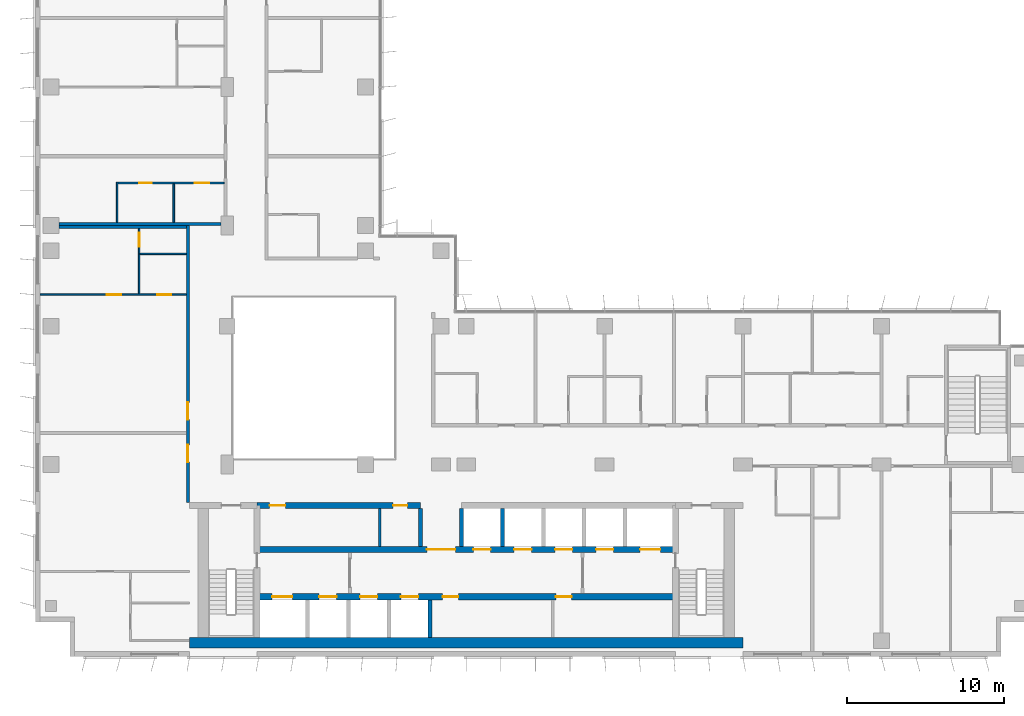
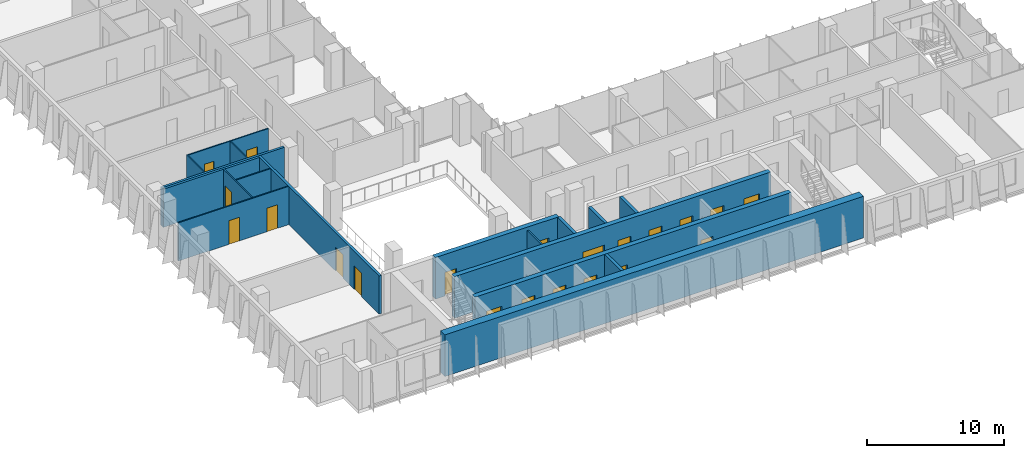
# One storey, part 13 of 21: 21 doors, 18 walls, 21 openings.
"""IFC4 building model written with IfcOpenShell, lengths in metres."""

from ifc_helpers import new_model, si_unit, direction, frame, frame_2d, origin, place, context, subcontext, project, spatial, rectangle, extrude, material, layer, layer_set, type_object, element, fill, save


model = new_model("IFC4")

# Units and contexts
model_context = context("Model", 3, precision=1e-05, world=origin(), true_north=direction((0.0, 1.0)))
body_context = subcontext(model_context, "Body", "Model", "MODEL_VIEW")
ifc_project = project(units=[si_unit("LENGTHUNIT", "METRE"), si_unit("AREAUNIT", "SQUARE_METRE"), si_unit("VOLUMEUNIT", "CUBIC_METRE"), si_unit("PLANEANGLEUNIT", "RADIAN"), si_unit("MASSUNIT", "GRAM", prefix="KILO")], contexts=[model_context])

# Site, building, storey
site_placement = place(None, origin())
site = spatial("IfcSite", under=ifc_project, at=site_placement, CompositionType="ELEMENT")
building_placement = place(site_placement, origin())
building = spatial("IfcBuilding", under=site, at=building_placement, Name="Kemantara Hotel Tower", CompositionType="ELEMENT")
storey_placement = place(building_placement, frame((0.0, 0.0, 211.699951171875)))
storey = spatial("IfcBuildingStorey", under=building, at=storey_placement, Name="L52", CompositionType="ELEMENT", Elevation=211.699951171875)

# Walls
ifc_material_1 = material(Name="Concrete fc 60 MPa", Category="concrete")
ifc_layer_1 = layer(ifc_material_1, 0.25)
ifc_layer_set_1 = layer_set([ifc_layer_1], Name="Concrete fc 60 MPa")
wall_type_1 = type_object("IfcWallType", Name="CORE WALL 250 FC60", PredefinedType="SHEAR", material=ifc_layer_set_1)
wall_1_placement = place(storey_placement, frame((25.10009765625, 1.199951171875, 0.0), z_axis=(0.0, 0.0, 1.0), x_axis=(0.0, 1.0, 0.0)))
element("IfcWall", 1, at=wall_1_placement, inside=storey, type_object=wall_type_1, Name="CORE WALL CW-DS25.1", PredefinedType="SHEAR", context=body_context, shape_type="SweptSolid", body=[
    extrude(rectangle(XDim=2.400146484375, YDim=0.25, at=frame_2d((1.2001953125, 0.0))), origin(), (0.0, 0.0, 1.0), 3.699951171875),
])
for number, where, z_axis, x_axis, name in (
    (2, (24.5, 7.0, 0.0), (0.0, 0.0, 1.0), (0.0, 1.0, 0.0), "CORE WALL CW-DN24.5"),
    (3, (27.10009765625, 7.0, 0.0), (0.0, 0.0, 1.0), (0.0, 1.0, 0.0), "CORE WALL CW-DN27.1"),
    (4, (29.699951171875, 7.0, 0.0), (0.0, 0.0, 1.0), (0.0, 1.0, 0.0), "CORE WALL CW-DN29.7"),
):
    element("IfcWall", number, at=place(storey_placement, frame(where, z_axis=z_axis, x_axis=x_axis)), inside=storey, type_object=wall_type_1, Name=name, PredefinedType="SHEAR", context=body_context, shape_type="SweptSolid", body=[
        extrude(rectangle(XDim=2.39990234375, YDim=0.25, at=frame_2d((1.199951171875, 0.0))), origin(), (0.0, 0.0, 1.0), 3.699951171875),
    ])

# Wall, openings, doors
ifc_layer_2 = layer(ifc_material_1, 0.39990234375)
ifc_layer_set_2 = layer_set([ifc_layer_2], Name="Concrete fc 60 MPa")
wall_type_2 = type_object("IfcWallType", Name="CORE WALL 400 FC60", PredefinedType="SHEAR", material=ifc_layer_set_2)
wall_2_placement = place(storey_placement, frame((14.10009765625, 9.60009765625, 0.0), z_axis=(0.0, 0.0, 1.0), x_axis=(1.0, 0.0, 0.0)))
wall_2 = element("IfcWall", 5, at=wall_2_placement, inside=storey, type_object=wall_type_2, Name="CORE WALL CW-NN1", PredefinedType="SHEAR", context=body_context, shape_type="SweptSolid", body=[
    extrude(rectangle(XDim=10.39990234375, YDim=0.39990234375, at=frame_2d((5.199951171875, 0.0))), origin(), (0.0, 0.0, 1.0), 3.699951171875),
])
opening_1_placement = place(wall_2_placement, frame((0.800048828125, 0.0, 0.0)))
opening_1 = element("IfcOpeningElement", 6, at=opening_1_placement, cuts=wall_2, Name="Opening C33-R-NW1", PredefinedType="OPENING", context=body_context, shape_type="SweptSolid", body=[
    extrude(rectangle(XDim=1.0, YDim=2.10009765625, at=frame_2d((0.5, 1.050048828125))), frame((0.0, 0.2099609375, 0.0), z_axis=(0.0, -1.0, 0.0), x_axis=(1.0, 0.0, 0.0)), (0.0, 0.0, 1.0), 0.419921875),
])
opening_2_placement = place(wall_2_placement, frame((8.64990234375, 0.0, 0.0)))
opening_2 = element("IfcOpeningElement", 7, at=opening_2_placement, cuts=wall_2, Name="Opening C33-R-NW2", PredefinedType="OPENING", context=body_context, shape_type="SweptSolid", body=[
    extrude(rectangle(XDim=0.89990234375, YDim=2.10009765625, at=frame_2d((0.449951171875, 1.050048828125))), frame((0.0, 0.2099609375, 0.0), z_axis=(0.0, -1.0, 0.0), x_axis=(1.0, 0.0, 0.0)), (0.0, 0.0, 1.0), 0.419921875),
])
ifc_material_2 = material(Name="Steel fire door", Category="steel")
door_type_1 = type_object("IfcDoorType", Name="Fire door FD30S 1000 x 2100", OperationType="NOTDEFINED", PredefinedType="DOOR", material=ifc_material_2)
door_1_placement = place(opening_1_placement, frame((1.0, 0.0, 0.0), z_axis=(0.0, 0.0, 1.0), x_axis=(-1.0, 0.0, 0.0)))
door_1 = element("IfcDoor", 8, at=door_1_placement, inside=storey, type_object=door_type_1, Name="Housekeeping Store door", OperationType="SINGLE_SWING_RIGHT", OverallHeight=2.10009765625, OverallWidth=1.0, PredefinedType="DOOR", context=body_context, shape_type="SweptSolid", body=[
    extrude(rectangle(XDim=1.0, YDim=2.10009765625, at=frame_2d((0.5, 1.050048828125))), frame((0.0, 0.02490234375, 0.0), z_axis=(0.0, -1.0, 0.0), x_axis=(1.0, 0.0, 0.0)), (0.0, 0.0, 1.0), 0.050048828125),
])
fill(opening_1, door_1)
door_type_2 = type_object("IfcDoorType", Name="Fire door FD60 900 x 2100", OperationType="NOTDEFINED", PredefinedType="DOOR", material=ifc_material_2)
door_2_placement = place(opening_2_placement, frame((0.89990234375, 0.0, 0.0), z_axis=(0.0, 0.0, 1.0), x_axis=(-1.0, 0.0, 0.0)))
door_2 = element("IfcDoor", 9, at=door_2_placement, inside=storey, type_object=door_type_2, Name="It Equipment Room door", OperationType="SINGLE_SWING_LEFT", OverallHeight=2.10009765625, OverallWidth=0.89990234375, PredefinedType="DOOR", context=body_context, shape_type="SweptSolid", body=[
    extrude(rectangle(XDim=0.89990234375, YDim=2.10009765625, at=frame_2d((0.449951171875, 1.050048828125))), frame((0.0, 0.02490234375, 0.0), z_axis=(0.0, -1.0, 0.0), x_axis=(1.0, 0.0, 0.0)), (0.0, 0.0, 1.0), 0.050048828125),
])
fill(opening_2, door_2)

wall_3_placement = place(storey_placement, frame((14.10009765625, 3.800048828125, 0.0), z_axis=(0.0, 0.0, 1.0), x_axis=(1.0, 0.0, 0.0)))
wall_3 = element("IfcWall", 10, at=wall_3_placement, inside=storey, type_object=wall_type_2, Name="CORE WALL CW-L1", PredefinedType="SHEAR", context=body_context, shape_type="SweptSolid", body=[
    extrude(rectangle(XDim=26.599853515625, YDim=0.39990234375, at=frame_2d((13.2998046875, 0.0))), origin(), (0.0, 0.0, 1.0), 3.699951171875),
])
opening_3_placement = place(wall_3_placement, frame((0.949951171875, 0.0, 0.0)))
opening_3 = element("IfcOpeningElement", 11, at=opening_3_placement, cuts=wall_3, Name="Opening C33-LD-FF1", PredefinedType="OPENING", context=body_context, shape_type="SweptSolid", body=[
    extrude(rectangle(XDim=1.300048828125, YDim=2.10009765625, at=frame_2d((0.64990234375, 1.050048828125))), frame((0.0, 0.2099609375, 0.0), z_axis=(0.0, -1.0, 0.0), x_axis=(1.0, 0.0, 0.0)), (0.0, 0.0, 1.0), 0.419921875),
])
opening_4_placement = place(wall_3_placement, frame((3.949951171875, 0.0, 0.0)))
opening_4 = element("IfcOpeningElement", 12, at=opening_4_placement, cuts=wall_3, Name="Opening C33-LD-SV1", PredefinedType="OPENING", context=body_context, shape_type="SweptSolid", body=[
    extrude(rectangle(XDim=1.10009765625, YDim=2.10009765625, at=frame_2d((0.550048828125, 1.050048828125))), frame((0.0, 0.2099609375, 0.0), z_axis=(0.0, -1.0, 0.0), x_axis=(1.0, 0.0, 0.0)), (0.0, 0.0, 1.0), 0.419921875),
])
opening_5_placement = place(wall_3_placement, frame((6.550048828125, 0.0, 0.0)))
opening_5 = element("IfcOpeningElement", 13, at=opening_5_placement, cuts=wall_3, Name="Opening C33-LD-SV2", PredefinedType="OPENING", context=body_context, shape_type="SweptSolid", body=[
    extrude(rectangle(XDim=1.10009765625, YDim=2.10009765625, at=frame_2d((0.550048828125, 1.050048828125))), frame((0.0, 0.2099609375, 0.0), z_axis=(0.0, -1.0, 0.0), x_axis=(1.0, 0.0, 0.0)), (0.0, 0.0, 1.0), 0.419921875),
])
opening_6_placement = place(wall_3_placement, frame((9.14990234375, 0.0, 0.0)))
opening_6 = element("IfcOpeningElement", 14, at=opening_6_placement, cuts=wall_3, Name="Opening C33-LD-SV3", PredefinedType="OPENING", context=body_context, shape_type="SweptSolid", body=[
    extrude(rectangle(XDim=1.10009765625, YDim=2.10009765625, at=frame_2d((0.550048828125, 1.050048828125))), frame((0.0, 0.2099609375, 0.0), z_axis=(0.0, -1.0, 0.0), x_axis=(1.0, 0.0, 0.0)), (0.0, 0.0, 1.0), 0.419921875),
])
opening_7_placement = place(wall_3_placement, frame((11.800048828125, 0.0, 0.0)))
opening_7 = element("IfcOpeningElement", 15, at=opening_7_placement, cuts=wall_3, Name="Opening C33-R-SM1", PredefinedType="OPENING", context=body_context, shape_type="SweptSolid", body=[
    extrude(rectangle(XDim=1.0, YDim=2.10009765625, at=frame_2d((0.5, 1.050048828125))), frame((0.0, 0.2099609375, 0.0), z_axis=(0.0, -1.0, 0.0), x_axis=(1.0, 0.0, 0.0)), (0.0, 0.0, 1.0), 0.419921875),
])
opening_8_placement = place(wall_3_placement, frame((19.0, 0.0, 0.0)))
opening_8 = element("IfcOpeningElement", 16, at=opening_8_placement, cuts=wall_3, Name="Opening C33-R-SM2", PredefinedType="OPENING", context=body_context, shape_type="SweptSolid", body=[
    extrude(rectangle(XDim=1.0, YDim=2.10009765625, at=frame_2d((0.5, 1.050048828125))), frame((0.0, 0.2099609375, 0.0), z_axis=(0.0, -1.0, 0.0), x_axis=(1.0, 0.0, 0.0)), (0.0, 0.0, 1.0), 0.419921875),
])
door_3_placement = place(opening_7_placement, frame((1.0, 0.0, 0.0), z_axis=(0.0, 0.0, 1.0), x_axis=(-1.0, 0.0, 0.0)))
door_3 = element("IfcDoor", 17, at=door_3_placement, inside=storey, type_object=door_type_1, Name="Luggage Store door", OperationType="SINGLE_SWING_RIGHT", OverallHeight=2.10009765625, OverallWidth=1.0, PredefinedType="DOOR", context=body_context, shape_type="SweptSolid", body=[
    extrude(rectangle(XDim=1.0, YDim=2.10009765625, at=frame_2d((0.5, 1.050048828125))), frame((0.0, 0.02490234375, 0.0), z_axis=(0.0, -1.0, 0.0), x_axis=(1.0, 0.0, 0.0)), (0.0, 0.0, 1.0), 0.050048828125),
])
fill(opening_7, door_3)
door_4_placement = place(opening_8_placement, frame((1.0, 0.0, 0.0), z_axis=(0.0, 0.0, 1.0), x_axis=(-1.0, 0.0, 0.0)))
door_4 = element("IfcDoor", 18, at=door_4_placement, inside=storey, type_object=door_type_1, Name="Guest Pantry door", OperationType="SINGLE_SWING_LEFT", OverallHeight=2.10009765625, OverallWidth=1.0, PredefinedType="DOOR", context=body_context, shape_type="SweptSolid", body=[
    extrude(rectangle(XDim=1.0, YDim=2.10009765625, at=frame_2d((0.5, 1.050048828125))), frame((0.0, 0.02490234375, 0.0), z_axis=(0.0, -1.0, 0.0), x_axis=(1.0, 0.0, 0.0)), (0.0, 0.0, 1.0), 0.050048828125),
])
fill(opening_8, door_4)
ifc_material_3 = material(Name="Stainless steel lift door", Category="steel")
door_type_3 = type_object("IfcDoorType", Name="Lift landing door 1100 x 2100 FD60", OperationType="DOUBLE_DOOR_SLIDING", PredefinedType="DOOR", material=ifc_material_3)
door_5_placement = place(opening_4_placement, origin())
door_5 = element("IfcDoor", 19, at=door_5_placement, inside=storey, type_object=door_type_3, Name="Lift SV1 landing door", OperationType="DOUBLE_DOOR_SLIDING", OverallHeight=2.10009765625, OverallWidth=1.10009765625, PredefinedType="DOOR", context=body_context, shape_type="SweptSolid", body=[
    extrude(rectangle(XDim=1.10009765625, YDim=2.10009765625, at=frame_2d((0.550048828125, 1.050048828125))), frame((0.0, 0.02490234375, 0.0), z_axis=(0.0, -1.0, 0.0), x_axis=(1.0, 0.0, 0.0)), (0.0, 0.0, 1.0), 0.050048828125),
])
fill(opening_4, door_5)
door_6_placement = place(opening_5_placement, origin())
door_6 = element("IfcDoor", 20, at=door_6_placement, inside=storey, type_object=door_type_3, Name="Lift SV2 landing door", OperationType="DOUBLE_DOOR_SLIDING", OverallHeight=2.10009765625, OverallWidth=1.10009765625, PredefinedType="DOOR", context=body_context, shape_type="SweptSolid", body=[
    extrude(rectangle(XDim=1.10009765625, YDim=2.10009765625, at=frame_2d((0.550048828125, 1.050048828125))), frame((0.0, 0.02490234375, 0.0), z_axis=(0.0, -1.0, 0.0), x_axis=(1.0, 0.0, 0.0)), (0.0, 0.0, 1.0), 0.050048828125),
])
fill(opening_5, door_6)
door_7_placement = place(opening_6_placement, origin())
door_7 = element("IfcDoor", 21, at=door_7_placement, inside=storey, type_object=door_type_3, Name="Lift SV3 landing door", OperationType="DOUBLE_DOOR_SLIDING", OverallHeight=2.10009765625, OverallWidth=1.10009765625, PredefinedType="DOOR", context=body_context, shape_type="SweptSolid", body=[
    extrude(rectangle(XDim=1.10009765625, YDim=2.10009765625, at=frame_2d((0.550048828125, 1.050048828125))), frame((0.0, 0.02490234375, 0.0), z_axis=(0.0, -1.0, 0.0), x_axis=(1.0, 0.0, 0.0)), (0.0, 0.0, 1.0), 0.050048828125),
])
fill(opening_6, door_7)
door_type_4 = type_object("IfcDoorType", Name="Lift landing door 1300 x 2100 FD90", OperationType="DOUBLE_DOOR_SLIDING", PredefinedType="DOOR", material=ifc_material_3)
door_8_placement = place(opening_3_placement, origin())
door_8 = element("IfcDoor", 22, at=door_8_placement, inside=storey, type_object=door_type_4, Name="Lift FF1 landing door", OperationType="DOUBLE_DOOR_SLIDING", OverallHeight=2.10009765625, OverallWidth=1.300048828125, PredefinedType="DOOR", context=body_context, shape_type="SweptSolid", body=[
    extrude(rectangle(XDim=1.300048828125, YDim=2.10009765625, at=frame_2d((0.64990234375, 1.050048828125))), frame((0.0, 0.02490234375, 0.0), z_axis=(0.0, -1.0, 0.0), x_axis=(1.0, 0.0, 0.0)), (0.0, 0.0, 1.0), 0.050048828125),
])
fill(opening_3, door_8)

wall_4_placement = place(storey_placement, frame((14.10009765625, 6.800048828125, 0.0), z_axis=(0.0, 0.0, 1.0), x_axis=(1.0, 0.0, 0.0)))
wall_4 = element("IfcWall", 23, at=wall_4_placement, inside=storey, type_object=wall_type_2, Name="CORE WALL CW-L2", PredefinedType="SHEAR", context=body_context, shape_type="SweptSolid", body=[
    extrude(rectangle(XDim=26.599853515625, YDim=0.39990234375, at=frame_2d((13.2998046875, 0.0))), origin(), (0.0, 0.0, 1.0), 3.699951171875),
])
opening_9_placement = place(wall_4_placement, frame((10.800048828125, 0.0, 0.0)))
opening_9 = element("IfcOpeningElement", 24, at=opening_9_placement, cuts=wall_4, Name="Opening C33-VL", PredefinedType="OPENING", context=body_context, shape_type="SweptSolid", body=[
    extrude(rectangle(XDim=1.800048828125, YDim=2.10009765625, at=frame_2d((0.89990234375, 1.050048828125))), frame((0.0, 0.2099609375, 0.0), z_axis=(0.0, -1.0, 0.0), x_axis=(1.0, 0.0, 0.0)), (0.0, 0.0, 1.0), 0.419921875),
])
opening_10_placement = place(wall_4_placement, frame((13.75, 0.0, 0.0)))
opening_10 = element("IfcOpeningElement", 25, at=opening_10_placement, cuts=wall_4, Name="Opening C33-LD-HR1", PredefinedType="OPENING", context=body_context, shape_type="SweptSolid", body=[
    extrude(rectangle(XDim=1.10009765625, YDim=2.10009765625, at=frame_2d((0.550048828125, 1.050048828125))), frame((0.0, 0.2099609375, 0.0), z_axis=(0.0, -1.0, 0.0), x_axis=(1.0, 0.0, 0.0)), (0.0, 0.0, 1.0), 0.419921875),
])
opening_11_placement = place(wall_4_placement, frame((16.35009765625, 0.0, 0.0)))
opening_11 = element("IfcOpeningElement", 26, at=opening_11_placement, cuts=wall_4, Name="Opening C33-LD-HR2", PredefinedType="OPENING", context=body_context, shape_type="SweptSolid", body=[
    extrude(rectangle(XDim=1.10009765625, YDim=2.10009765625, at=frame_2d((0.550048828125, 1.050048828125))), frame((0.0, 0.2099609375, 0.0), z_axis=(0.0, -1.0, 0.0), x_axis=(1.0, 0.0, 0.0)), (0.0, 0.0, 1.0), 0.419921875),
])
opening_12_placement = place(wall_4_placement, frame((18.949951171875, 0.0, 0.0)))
opening_12 = element("IfcOpeningElement", 27, at=opening_12_placement, cuts=wall_4, Name="Opening C33-LD-HR3", PredefinedType="OPENING", context=body_context, shape_type="SweptSolid", body=[
    extrude(rectangle(XDim=1.10009765625, YDim=2.10009765625, at=frame_2d((0.550048828125, 1.050048828125))), frame((0.0, 0.2099609375, 0.0), z_axis=(0.0, -1.0, 0.0), x_axis=(1.0, 0.0, 0.0)), (0.0, 0.0, 1.0), 0.419921875),
])
opening_13_placement = place(wall_4_placement, frame((21.550048828125, 0.0, 0.0)))
opening_13 = element("IfcOpeningElement", 28, at=opening_13_placement, cuts=wall_4, Name="Opening C33-LD-HR4", PredefinedType="OPENING", context=body_context, shape_type="SweptSolid", body=[
    extrude(rectangle(XDim=1.10009765625, YDim=2.10009765625, at=frame_2d((0.550048828125, 1.050048828125))), frame((0.0, 0.2099609375, 0.0), z_axis=(0.0, -1.0, 0.0), x_axis=(1.0, 0.0, 0.0)), (0.0, 0.0, 1.0), 0.419921875),
])
opening_14_placement = place(wall_4_placement, frame((24.35009765625, 0.0, 0.0)))
opening_14 = element("IfcOpeningElement", 29, at=opening_14_placement, cuts=wall_4, Name="Opening C33-LD-FF2", PredefinedType="OPENING", context=body_context, shape_type="SweptSolid", body=[
    extrude(rectangle(XDim=1.300048828125, YDim=2.10009765625, at=frame_2d((0.64990234375, 1.050048828125))), frame((0.0, 0.2099609375, 0.0), z_axis=(0.0, -1.0, 0.0), x_axis=(1.0, 0.0, 0.0)), (0.0, 0.0, 1.0), 0.419921875),
])
door_type_5 = type_object("IfcDoorType", Name="Fire door pair FD60 1800 x 2100", OperationType="DOUBLE_DOOR_SINGLE_SWING", PredefinedType="DOOR", material=ifc_material_2)
door_9_placement = place(opening_9_placement, frame((1.800048828125, 0.0, 0.0), z_axis=(0.0, 0.0, 1.0), x_axis=(-1.0, 0.0, 0.0)))
door_9 = element("IfcDoor", 30, at=door_9_placement, inside=storey, type_object=door_type_5, Name="Lift lobby entry door", OperationType="DOUBLE_DOOR_SINGLE_SWING", OverallHeight=2.10009765625, OverallWidth=1.800048828125, PredefinedType="DOOR", context=body_context, shape_type="SweptSolid", body=[
    extrude(rectangle(XDim=1.800048828125, YDim=2.10009765625, at=frame_2d((0.89990234375, 1.050048828125))), frame((0.0, 0.02490234375, 0.0), z_axis=(0.0, -1.0, 0.0), x_axis=(1.0, 0.0, 0.0)), (0.0, 0.0, 1.0), 0.050048828125),
])
fill(opening_9, door_9)
door_10_placement = place(opening_10_placement, origin())
door_10 = element("IfcDoor", 31, at=door_10_placement, inside=storey, type_object=door_type_3, Name="Lift HR1 landing door", OperationType="DOUBLE_DOOR_SLIDING", OverallHeight=2.10009765625, OverallWidth=1.10009765625, PredefinedType="DOOR", context=body_context, shape_type="SweptSolid", body=[
    extrude(rectangle(XDim=1.10009765625, YDim=2.10009765625, at=frame_2d((0.550048828125, 1.050048828125))), frame((0.0, 0.02490234375, 0.0), z_axis=(0.0, -1.0, 0.0), x_axis=(1.0, 0.0, 0.0)), (0.0, 0.0, 1.0), 0.050048828125),
])
fill(opening_10, door_10)
door_11_placement = place(opening_11_placement, origin())
door_11 = element("IfcDoor", 32, at=door_11_placement, inside=storey, type_object=door_type_3, Name="Lift HR2 landing door", OperationType="DOUBLE_DOOR_SLIDING", OverallHeight=2.10009765625, OverallWidth=1.10009765625, PredefinedType="DOOR", context=body_context, shape_type="SweptSolid", body=[
    extrude(rectangle(XDim=1.10009765625, YDim=2.10009765625, at=frame_2d((0.550048828125, 1.050048828125))), frame((0.0, 0.02490234375, 0.0), z_axis=(0.0, -1.0, 0.0), x_axis=(1.0, 0.0, 0.0)), (0.0, 0.0, 1.0), 0.050048828125),
])
fill(opening_11, door_11)
door_12_placement = place(opening_12_placement, origin())
door_12 = element("IfcDoor", 33, at=door_12_placement, inside=storey, type_object=door_type_3, Name="Lift HR3 landing door", OperationType="DOUBLE_DOOR_SLIDING", OverallHeight=2.10009765625, OverallWidth=1.10009765625, PredefinedType="DOOR", context=body_context, shape_type="SweptSolid", body=[
    extrude(rectangle(XDim=1.10009765625, YDim=2.10009765625, at=frame_2d((0.550048828125, 1.050048828125))), frame((0.0, 0.02490234375, 0.0), z_axis=(0.0, -1.0, 0.0), x_axis=(1.0, 0.0, 0.0)), (0.0, 0.0, 1.0), 0.050048828125),
])
fill(opening_12, door_12)
door_13_placement = place(opening_13_placement, origin())
door_13 = element("IfcDoor", 34, at=door_13_placement, inside=storey, type_object=door_type_3, Name="Lift HR4 landing door", OperationType="DOUBLE_DOOR_SLIDING", OverallHeight=2.10009765625, OverallWidth=1.10009765625, PredefinedType="DOOR", context=body_context, shape_type="SweptSolid", body=[
    extrude(rectangle(XDim=1.10009765625, YDim=2.10009765625, at=frame_2d((0.550048828125, 1.050048828125))), frame((0.0, 0.02490234375, 0.0), z_axis=(0.0, -1.0, 0.0), x_axis=(1.0, 0.0, 0.0)), (0.0, 0.0, 1.0), 0.050048828125),
])
fill(opening_13, door_13)
door_14_placement = place(opening_14_placement, origin())
door_14 = element("IfcDoor", 35, at=door_14_placement, inside=storey, type_object=door_type_4, Name="Lift FF2 landing door", OperationType="DOUBLE_DOOR_SLIDING", OverallHeight=2.10009765625, OverallWidth=1.300048828125, PredefinedType="DOOR", context=body_context, shape_type="SweptSolid", body=[
    extrude(rectangle(XDim=1.300048828125, YDim=2.10009765625, at=frame_2d((0.64990234375, 1.050048828125))), frame((0.0, 0.02490234375, 0.0), z_axis=(0.0, -1.0, 0.0), x_axis=(1.0, 0.0, 0.0)), (0.0, 0.0, 1.0), 0.050048828125),
])
fill(opening_14, door_14)

# Wall
ifc_layer_3 = layer(ifc_material_1, 0.64990234375)
ifc_layer_set_3 = layer_set([ifc_layer_3], Name="Concrete fc 60 MPa")
wall_type_3 = type_object("IfcWallType", Name="CORE WALL 650 FC60", PredefinedType="SHEAR", material=ifc_layer_set_3)
wall_5_placement = place(storey_placement, frame((9.800048828125, 0.875, 0.0), z_axis=(0.0, 0.0, 1.0), x_axis=(1.0, 0.0, 0.0)))
element("IfcWall", 36, at=wall_5_placement, inside=storey, type_object=wall_type_3, Name="CORE WALL CW-S", PredefinedType="SHEAR", context=body_context, shape_type="SweptSolid", body=[
    extrude(rectangle(XDim=35.199951171875, YDim=0.64990234375, at=frame_2d((17.60009765625, 0.0))), origin(), (0.0, 0.0, 1.0), 3.699951171875),
])

# Wall, openings, doors
ifc_material_4 = material(Name="Gypsum board partition, steel studs and mineral wool, 200 mm", Category="steel")
ifc_layer_4 = layer(ifc_material_4, 0.199951171875)
ifc_layer_set_4 = layer_set([ifc_layer_4], Name="Gypsum board partition, steel studs and mineral wool, 200 mm")
wall_type_4 = type_object("IfcWallType", Name="CORRIDOR WALL 200", PredefinedType="PARTITIONING", material=ifc_layer_set_4)
wall_6_placement = place(storey_placement, frame((9.699951171875, 9.800048828125, 0.0), z_axis=(0.0, 0.0, 1.0), x_axis=(0.0, 1.0, 0.0)))
wall_6 = element("IfcWall", 37, at=wall_6_placement, inside=storey, type_object=wall_type_4, Name="CORRIDOR WALL 200 014", PredefinedType="PARTITIONING", context=body_context, shape_type="SweptSolid", body=[
    extrude(rectangle(XDim=17.599853515625, YDim=0.199951171875, at=frame_2d((8.7998046875, 0.0))), origin(), (0.0, 0.0, 1.0), 3.400146484375),
])
opening_15_placement = place(wall_6_placement, frame((2.550048828125, 0.0, 0.0)))
opening_15 = element("IfcOpeningElement", 38, at=opening_15_placement, cuts=wall_6, Name="Opening F25-023", PredefinedType="OPENING", context=body_context, shape_type="SweptSolid", body=[
    extrude(rectangle(XDim=1.10009765625, YDim=2.10009765625, at=frame_2d((0.550048828125, 1.050048828125))), frame((0.0, 0.10986328125, 0.0), z_axis=(0.0, -1.0, 0.0), x_axis=(1.0, 0.0, 0.0)), (0.0, 0.0, 1.0), 0.219970703125),
])
opening_16_placement = place(wall_6_placement, frame((5.25, 0.0, 0.0)))
opening_16 = element("IfcOpeningElement", 39, at=opening_16_placement, cuts=wall_6, Name="Opening F25-027", PredefinedType="OPENING", context=body_context, shape_type="SweptSolid", body=[
    extrude(rectangle(XDim=1.10009765625, YDim=2.10009765625, at=frame_2d((0.550048828125, 1.050048828125))), frame((0.0, 0.10986328125, 0.0), z_axis=(0.0, -1.0, 0.0), x_axis=(1.0, 0.0, 0.0)), (0.0, 0.0, 1.0), 0.219970703125),
])
ifc_material_5 = material(Name="Hardwood veneer door leaf with steel frame", Category="steel")
door_type_6 = type_object("IfcDoorType", Name="SUITE ENTRANCE DOOR 1100 X 2100 FD30S", OperationType="NOTDEFINED", PredefinedType="DOOR", material=ifc_material_5)
door_15_placement = place(opening_15_placement, origin())
door_15 = element("IfcDoor", 40, at=door_15_placement, inside=storey, type_object=door_type_6, Name="SUITE ENTRANCE DOOR F25-023", OperationType="SINGLE_SWING_RIGHT", OverallHeight=2.10009765625, OverallWidth=1.10009765625, PredefinedType="DOOR", context=body_context, shape_type="SweptSolid", body=[
    extrude(rectangle(XDim=1.10009765625, YDim=2.10009765625, at=frame_2d((0.550048828125, 1.050048828125))), frame((0.0, 0.02490234375, 0.0), z_axis=(0.0, -1.0, 0.0), x_axis=(1.0, 0.0, 0.0)), (0.0, 0.0, 1.0), 0.050048828125),
])
fill(opening_15, door_15)
door_16_placement = place(opening_16_placement, origin())
door_16 = element("IfcDoor", 41, at=door_16_placement, inside=storey, type_object=door_type_6, Name="SUITE ENTRANCE DOOR F25-027", OperationType="SINGLE_SWING_LEFT", OverallHeight=2.10009765625, OverallWidth=1.10009765625, PredefinedType="DOOR", context=body_context, shape_type="SweptSolid", body=[
    extrude(rectangle(XDim=1.10009765625, YDim=2.10009765625, at=frame_2d((0.550048828125, 1.050048828125))), frame((0.0, 0.02490234375, 0.0), z_axis=(0.0, -1.0, 0.0), x_axis=(1.0, 0.0, 0.0)), (0.0, 0.0, 1.0), 0.050048828125),
])
fill(opening_16, door_16)

# Walls
ifc_layer_5 = layer(ifc_material_4, 0.199951171875)
ifc_layer_set_5 = layer_set([ifc_layer_5], Name="Gypsum board partition, steel studs and mineral wool, 200 mm")
wall_type_5 = type_object("IfcWallType", Name="GUEST ROOM PARTY WALL 200", PredefinedType="PARTITIONING", material=ifc_layer_set_5)
wall_7_placement = place(storey_placement, frame((1.5, 27.300048828125, 0.0), z_axis=(0.0, 0.0, 1.0), x_axis=(1.0, 0.0, 0.0)))
element("IfcWall", 42, at=wall_7_placement, inside=storey, type_object=wall_type_5, Name="GUEST ROOM PARTY WALL 200 016", PredefinedType="PARTITIONING", context=body_context, shape_type="SweptSolid", body=[
    extrude(rectangle(XDim=8.10009765625, YDim=0.199951171875, at=frame_2d((4.050048828125, 0.0))), origin(), (0.0, 0.0, 1.0), 3.400146484375),
])
wall_8_placement = place(storey_placement, frame((1.5, 27.5, 0.0), z_axis=(0.0, 0.0, 1.0), x_axis=(1.0, 0.0, 0.0)))
element("IfcWall", 43, at=wall_8_placement, inside=storey, type_object=wall_type_5, Name="GUEST ROOM PARTY WALL 200 021", PredefinedType="PARTITIONING", context=body_context, shape_type="SweptSolid", body=[
    extrude(rectangle(XDim=10.2998046875, YDim=0.199951171875, at=frame_2d((5.14990234375, 0.0))), origin(), (0.0, 0.0, 1.0), 3.400146484375),
])
ifc_material_6 = material(Name="Gypsum board partition")
ifc_layer_6 = layer(ifc_material_6, 0.14990234375)
ifc_layer_set_6 = layer_set([ifc_layer_6], Name="Gypsum board partition")
wall_type_6 = type_object("IfcWallType", Name="Gypsum board partition 150 mm", PredefinedType="PARTITIONING", material=ifc_layer_set_6)
wall_9_placement = place(storey_placement, frame((21.89990234375, 7.0, 0.0), z_axis=(0.0, 0.0, 1.0), x_axis=(0.0, 1.0, 0.0)))
element("IfcWall", 44, at=wall_9_placement, inside=storey, type_object=wall_type_6, Name="Core room partition", PredefinedType="PARTITIONING", context=body_context, shape_type="SweptSolid", body=[
    extrude(rectangle(XDim=2.39990234375, YDim=0.14990234375, at=frame_2d((1.199951171875, 0.0))), origin(), (0.0, 0.0, 1.0), 3.400146484375),
])

# Wall, opening, door
ifc_material_7 = material(Name="Gypsum board partition on steel studs, 100 mm", Category="steel")
ifc_layer_7 = layer(ifc_material_7, 0.10009765625)
ifc_layer_set_7 = layer_set([ifc_layer_7], Name="Gypsum board partition on steel studs, 100 mm")
wall_type_7 = type_object("IfcWallType", Name="ROOM PARTITION 100", PredefinedType="PARTITIONING", material=ifc_layer_set_7)
wall_10_placement = place(storey_placement, frame((6.60009765625, 27.199951171875, 0.0), z_axis=(0.0, 0.0, 1.0), x_axis=(0.0, -1.0, 0.0)))
wall_10 = element("IfcWall", 45, at=wall_10_placement, inside=storey, type_object=wall_type_7, Name="ROOM PARTITION 100 056", PredefinedType="PARTITIONING", context=body_context, shape_type="SweptSolid", body=[
    extrude(rectangle(XDim=4.14990234375, YDim=0.10009765625, at=frame_2d((2.074951171875, 0.0))), origin(), (0.0, 0.0, 1.0), 3.400146484375),
])
opening_17_placement = place(wall_10_placement, frame((0.25, 0.0, 0.0)))
opening_17 = element("IfcOpeningElement", 46, at=opening_17_placement, cuts=wall_10, Name="Opening F25-030", PredefinedType="OPENING", context=body_context, shape_type="SweptSolid", body=[
    extrude(rectangle(XDim=0.89990234375, YDim=2.10009765625, at=frame_2d((0.449951171875, 1.050048828125))), frame((0.0, 0.06005859375, 0.0), z_axis=(0.0, -1.0, 0.0), x_axis=(1.0, 0.0, 0.0)), (0.0, 0.0, 1.0), 0.1201171875),
])
door_type_7 = type_object("IfcDoorType", Name="BATHROOM DOOR 900 X 2100", OperationType="NOTDEFINED", PredefinedType="DOOR", material=ifc_material_5)
door_17_placement = place(opening_17_placement, origin())
door_17 = element("IfcDoor", 47, at=door_17_placement, inside=storey, type_object=door_type_7, Name="BATHROOM DOOR F25-030", OperationType="SINGLE_SWING_RIGHT", OverallHeight=2.10009765625, OverallWidth=0.89990234375, PredefinedType="DOOR", context=body_context, shape_type="SweptSolid", body=[
    extrude(rectangle(XDim=0.89990234375, YDim=2.10009765625, at=frame_2d((0.449951171875, 1.050048828125))), frame((0.0, 0.02490234375, 0.0), z_axis=(0.0, -1.0, 0.0), x_axis=(1.0, 0.0, 0.0)), (0.0, 0.0, 1.0), 0.050048828125),
])
fill(opening_17, door_17)

# Wall, openings, doors
wall_11_placement = place(storey_placement, frame((0.31005859375, 23.0, 0.0), z_axis=(0.0, 0.0, 1.0), x_axis=(1.0, 0.0, 0.0)))
wall_11 = element("IfcWall", 48, at=wall_11_placement, inside=storey, type_object=wall_type_7, Name="ROOM PARTITION 100 057", PredefinedType="PARTITIONING", context=body_context, shape_type="SweptSolid", body=[
    extrude(rectangle(XDim=9.2900390625, YDim=0.10009765625, at=frame_2d((4.64501953125, 0.0))), origin(), (0.0, 0.0, 1.0), 3.400146484375),
])
opening_18_placement = place(wall_11_placement, frame((7.43994140625, 0.0, 0.0)))
opening_18 = element("IfcOpeningElement", 49, at=opening_18_placement, cuts=wall_11, Name="Opening F25-028", PredefinedType="OPENING", context=body_context, shape_type="SweptSolid", body=[
    extrude(rectangle(XDim=0.89990234375, YDim=2.10009765625, at=frame_2d((0.449951171875, 1.050048828125))), frame((0.0, 0.06005859375, 0.0), z_axis=(0.0, -1.0, 0.0), x_axis=(1.0, 0.0, 0.0)), (0.0, 0.0, 1.0), 0.1201171875),
])
opening_19_placement = place(wall_11_placement, frame((4.239990234375, 0.0, 0.0)))
opening_19 = element("IfcOpeningElement", 50, at=opening_19_placement, cuts=wall_11, Name="Opening F25-029", PredefinedType="OPENING", context=body_context, shape_type="SweptSolid", body=[
    extrude(rectangle(XDim=0.89990234375, YDim=2.10009765625, at=frame_2d((0.449951171875, 1.050048828125))), frame((0.0, 0.06005859375, 0.0), z_axis=(0.0, -1.0, 0.0), x_axis=(1.0, 0.0, 0.0)), (0.0, 0.0, 1.0), 0.1201171875),
])
door_type_8 = type_object("IfcDoorType", Name="INTERNAL DOOR 900 X 2100", OperationType="NOTDEFINED", PredefinedType="DOOR", material=ifc_material_5)
door_18_placement = place(opening_19_placement, origin())
door_18 = element("IfcDoor", 51, at=door_18_placement, inside=storey, type_object=door_type_8, Name="INTERNAL DOOR F25-029", OperationType="SINGLE_SWING_RIGHT", OverallHeight=2.10009765625, OverallWidth=0.89990234375, PredefinedType="DOOR", context=body_context, shape_type="SweptSolid", body=[
    extrude(rectangle(XDim=0.89990234375, YDim=2.10009765625, at=frame_2d((0.449951171875, 1.050048828125))), frame((0.0, 0.02490234375, 0.0), z_axis=(0.0, -1.0, 0.0), x_axis=(1.0, 0.0, 0.0)), (0.0, 0.0, 1.0), 0.050048828125),
])
fill(opening_19, door_18)
door_type_9 = type_object("IfcDoorType", Name="PANTRY DOOR 900 X 2100", OperationType="NOTDEFINED", PredefinedType="DOOR", material=ifc_material_5)
door_19_placement = place(opening_18_placement, frame((0.89990234375, 0.0, 0.0), z_axis=(0.0, 0.0, 1.0), x_axis=(-1.0, 0.0, 0.0)))
door_19 = element("IfcDoor", 52, at=door_19_placement, inside=storey, type_object=door_type_9, Name="PANTRY DOOR F25-028", OperationType="SINGLE_SWING_RIGHT", OverallHeight=2.10009765625, OverallWidth=0.89990234375, PredefinedType="DOOR", context=body_context, shape_type="SweptSolid", body=[
    extrude(rectangle(XDim=0.89990234375, YDim=2.10009765625, at=frame_2d((0.449951171875, 1.050048828125))), frame((0.0, 0.02490234375, 0.0), z_axis=(0.0, -1.0, 0.0), x_axis=(1.0, 0.0, 0.0)), (0.0, 0.0, 1.0), 0.050048828125),
])
fill(opening_18, door_19)

# Walls
wall_12_placement = place(storey_placement, frame((6.64990234375, 25.60009765625, 0.0), z_axis=(0.0, 0.0, 1.0), x_axis=(1.0, 0.0, 0.0)))
element("IfcWall", 53, at=wall_12_placement, inside=storey, type_object=wall_type_7, Name="ROOM PARTITION 100 058", PredefinedType="PARTITIONING", context=body_context, shape_type="SweptSolid", body=[
    extrude(rectangle(XDim=2.9501953125, YDim=0.10009765625, at=frame_2d((1.47509765625, 0.0))), origin(), (0.0, 0.0, 1.0), 3.400146484375),
])
wall_13_placement = place(storey_placement, frame((5.199951171875, 27.60009765625, 0.0), z_axis=(0.0, 0.0, 1.0), x_axis=(0.0, 1.0, 0.0)))
element("IfcWall", 54, at=wall_13_placement, inside=storey, type_object=wall_type_7, Name="ROOM PARTITION 100 059", PredefinedType="PARTITIONING", context=body_context, shape_type="SweptSolid", body=[
    extrude(rectangle(XDim=2.5498046875, YDim=0.10009765625, at=frame_2d((1.27490234375, 0.0))), origin(), (0.0, 0.0, 1.0), 3.400146484375),
])
wall_14_placement = place(storey_placement, frame((8.800048828125, 27.60009765625, 0.0), z_axis=(0.0, 0.0, 1.0), x_axis=(0.0, 1.0, 0.0)))
element("IfcWall", 55, at=wall_14_placement, inside=storey, type_object=wall_type_7, Name="ROOM PARTITION 100 060", PredefinedType="PARTITIONING", context=body_context, shape_type="SweptSolid", body=[
    extrude(rectangle(XDim=2.449951171875, YDim=0.10009765625, at=frame_2d((1.22509765625, 0.0))), origin(), (0.0, 0.0, 1.0), 3.400146484375),
])

# Wall, openings, doors
wall_15_placement = place(storey_placement, frame((12.0, 30.10009765625, 0.0), z_axis=(0.0, 0.0, 1.0), x_axis=(-1.0, 0.0, 0.0)))
wall_15 = element("IfcWall", 56, at=wall_15_placement, inside=storey, type_object=wall_type_7, Name="ROOM PARTITION 100 062", PredefinedType="PARTITIONING", context=body_context, shape_type="SweptSolid", body=[
    extrude(rectangle(XDim=6.75, YDim=0.10009765625, at=frame_2d((3.375, 0.0))), origin(), (0.0, 0.0, 1.0), 3.400146484375),
])
opening_20_placement = place(wall_15_placement, frame((0.949951171875, 0.0, 0.0)))
opening_20 = element("IfcOpeningElement", 57, at=opening_20_placement, cuts=wall_15, Name="Opening F25-032", PredefinedType="OPENING", context=body_context, shape_type="SweptSolid", body=[
    extrude(rectangle(XDim=0.89990234375, YDim=2.10009765625, at=frame_2d((0.449951171875, 1.050048828125))), frame((0.0, 0.06005859375, 0.0), z_axis=(0.0, -1.0, 0.0), x_axis=(1.0, 0.0, 0.0)), (0.0, 0.0, 1.0), 0.1201171875),
])
opening_21_placement = place(wall_15_placement, frame((4.60009765625, 0.0, 0.0)))
opening_21 = element("IfcOpeningElement", 58, at=opening_21_placement, cuts=wall_15, Name="Opening F25-033", PredefinedType="OPENING", context=body_context, shape_type="SweptSolid", body=[
    extrude(rectangle(XDim=0.800048828125, YDim=2.10009765625, at=frame_2d((0.39990234375, 1.050048828125))), frame((0.0, 0.06005859375, 0.0), z_axis=(0.0, -1.0, 0.0), x_axis=(1.0, 0.0, 0.0)), (0.0, 0.0, 1.0), 0.1201171875),
])
door_20_placement = place(opening_20_placement, origin())
door_20 = element("IfcDoor", 59, at=door_20_placement, inside=storey, type_object=door_type_7, Name="BATHROOM DOOR F25-032", OperationType="SINGLE_SWING_LEFT", OverallHeight=2.10009765625, OverallWidth=0.89990234375, PredefinedType="DOOR", context=body_context, shape_type="SweptSolid", body=[
    extrude(rectangle(XDim=0.89990234375, YDim=2.10009765625, at=frame_2d((0.449951171875, 1.050048828125))), frame((0.0, 0.02490234375, 0.0), z_axis=(0.0, -1.0, 0.0), x_axis=(1.0, 0.0, 0.0)), (0.0, 0.0, 1.0), 0.050048828125),
])
fill(opening_20, door_20)
door_type_10 = type_object("IfcDoorType", Name="INTERNAL DOOR 800 X 2100", OperationType="NOTDEFINED", PredefinedType="DOOR", material=ifc_material_5)
door_21_placement = place(opening_21_placement, origin())
door_21 = element("IfcDoor", 60, at=door_21_placement, inside=storey, type_object=door_type_10, Name="INTERNAL DOOR F25-033", OperationType="SINGLE_SWING_LEFT", OverallHeight=2.10009765625, OverallWidth=0.800048828125, PredefinedType="DOOR", context=body_context, shape_type="SweptSolid", body=[
    extrude(rectangle(XDim=0.800048828125, YDim=2.10009765625, at=frame_2d((0.39990234375, 1.050048828125))), frame((0.0, 0.02490234375, 0.0), z_axis=(0.0, -1.0, 0.0), x_axis=(1.0, 0.0, 0.0)), (0.0, 0.0, 1.0), 0.050048828125),
])
fill(opening_21, door_21)

save(model, "model.ifc")
